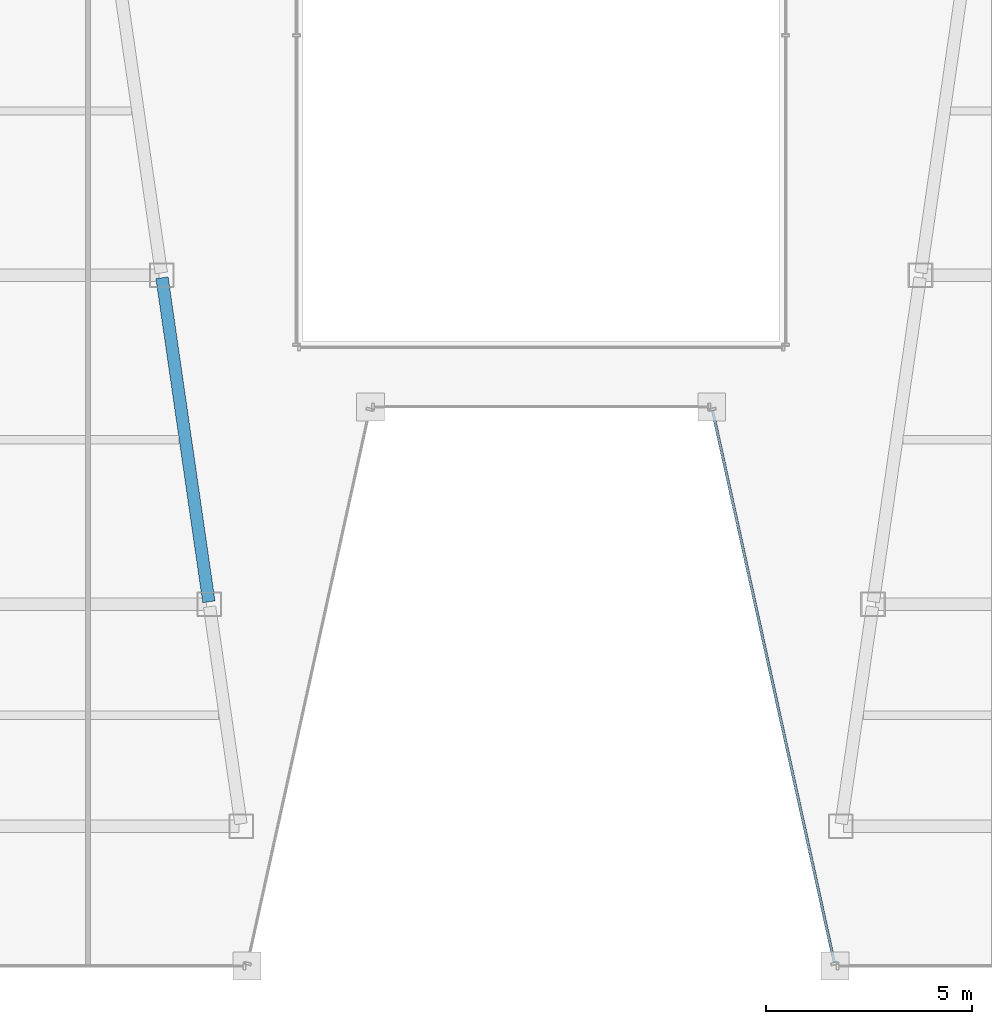
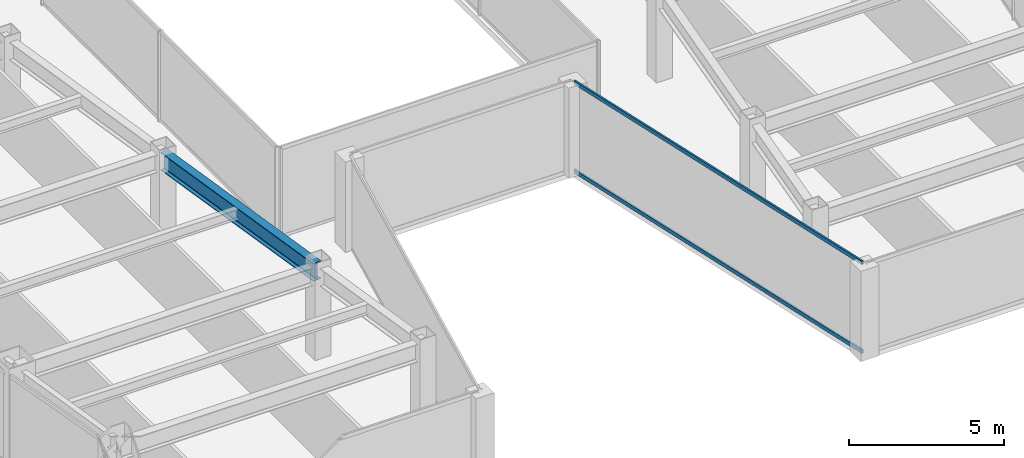
# One storey, part 6 of 38: 2 members, 1 beam, 1 element without a shape of its own.
"""IFC4 building model written with IfcOpenShell, lengths in metres."""

from ifc_helpers import new_model, si_unit, direction, frame, origin, origin_2d, place, context, subcontext, project, spatial, hollow_rectangle, i_section, extrude, material, material_profile, profile_set, type_object, element, aggregate, save


model = new_model("IFC4")

# Units and contexts
model_context = context("Model", 3, precision=1e-05, world=origin(), true_north=direction((0.0, 1.0)))
body_context = subcontext(model_context, "Body", "Model", "MODEL_VIEW")
ifc_project = project(units=[si_unit("LENGTHUNIT", "METRE"), si_unit("AREAUNIT", "SQUARE_METRE"), si_unit("VOLUMEUNIT", "CUBIC_METRE"), si_unit("PLANEANGLEUNIT", "RADIAN"), si_unit("MASSUNIT", "GRAM", prefix="KILO")], contexts=[model_context])

# Site, building, storey
site_placement = place(None, origin())
site = spatial("IfcSite", under=ifc_project, at=site_placement, CompositionType="ELEMENT")
building_placement = place(site_placement, origin())
building = spatial("IfcBuilding", under=site, at=building_placement, Name="Saevonmaru Cultural Tower", CompositionType="ELEMENT")
storey_placement = place(building_placement, frame((0.0, 0.0, 133.39990234375)))
storey = spatial("IfcBuildingStorey", under=building, at=storey_placement, Name="L28", CompositionType="ELEMENT", Elevation=133.39990234375)

# Beam
ifc_material_1 = material(Name="Steel SM355", Category="steel")
ifc_material_profile_1 = material_profile(ifc_material_1, i_section(OverallWidth=0.300048828125, OverallDepth=0.699951171875, WebThickness=0.012939453125, FlangeThickness=0.02392578125, FilletRadius=0.02587890625, at=origin_2d()), Name="H-700x300x13x24")
ifc_profile_set_1 = profile_set([ifc_material_profile_1], Name="Steel SM355")
beam_type = type_object("IfcBeamType", Name="BM-G-H700", PredefinedType="BEAM", material=ifc_profile_set_1)
beam_placement = place(storey_placement, frame((21.91943359375, 16.059326171875, 3.2001953125), z_axis=(-0.143022161059, 0.989719486241, 0.0), x_axis=(-0.989719486241, -0.143022161059, 0.0)))
element("IfcBeam", 1, at=beam_placement, inside=storey, type_object=beam_type, Name="L28 West Atrium Girder 2", PredefinedType="BEAM", context=body_context, shape_type="SweptSolid", body=[
    extrude(i_section(OverallWidth=0.300048828125, OverallDepth=0.699951171875, WebThickness=0.012939453125, FlangeThickness=0.02392578125, FilletRadius=0.02587890625, at=origin_2d()), origin(), (0.0, 0.0, 1.0), 7.963134765625),
])

# Curtain wall, members
ifc_material_2 = material(Name="Satin Bronze Anodised Aluminium", Category="aluminium")
curtain_wall_type = type_object("IfcCurtainWallType", Name="CW-TYP-A", PredefinedType="NOTDEFINED", material=ifc_material_2)
curtain_wall_placement = place(storey_placement, origin())
curtain_wall = element("IfcCurtainWall", 2, at=curtain_wall_placement, inside=storey, type_object=curtain_wall_type, Name="L28 Unitised Curtain Wall E5", PredefinedType="NOTDEFINED")
ifc_material_profile_2 = material_profile(ifc_material_2, hollow_rectangle(XDim=0.06494140625, YDim=0.14990234375, WallThickness=0.00390625, at=origin_2d()), Name="ALU-TRAN-150x65x4")
ifc_profile_set_2 = profile_set([ifc_material_profile_2], Name="Satin Bronze Anodised Aluminium")
member_type = type_object("IfcMemberType", Name="TR-CW-150x65", PredefinedType="USERDEFINED", material=ifc_profile_set_2)
member_1_placement = place(storey_placement, frame((34.1708984375, 20.709716796875, 0.03271484375), z_axis=(0.21541214732, -0.976523223885, 0.0), x_axis=(0.976523223885, 0.21541214732, 0.0)))
member_1 = element("IfcMember", 3, at=member_1_placement, type_object=member_type, Name="CW-TW-L28-E5 transom 1.1", ObjectType="TRANSOM", PredefinedType="USERDEFINED", context=body_context, shape_type="SweptSolid", body=[
    extrude(hollow_rectangle(XDim=0.06494140625, YDim=0.14990234375, WallThickness=0.00390625, at=origin_2d()), origin(), (0.0, 0.0, 1.0), 13.741943359375),
])
member_2_placement = place(storey_placement, frame((34.1708984375, 20.709716796875, 3.517578125), z_axis=(0.21541214732, -0.976523223885, 0.0), x_axis=(0.976523223885, 0.21541214732, 0.0)))
member_2 = element("IfcMember", 4, at=member_2_placement, type_object=member_type, Name="CW-TW-L28-E5 transom 1.2", ObjectType="TRANSOM", PredefinedType="USERDEFINED", context=body_context, shape_type="SweptSolid", body=[
    extrude(hollow_rectangle(XDim=0.06494140625, YDim=0.14990234375, WallThickness=0.00390625, at=origin_2d()), origin(), (0.0, 0.0, 1.0), 13.741943359375),
])
aggregate(curtain_wall, [member_1, member_2])

save(model, "model.ifc")
